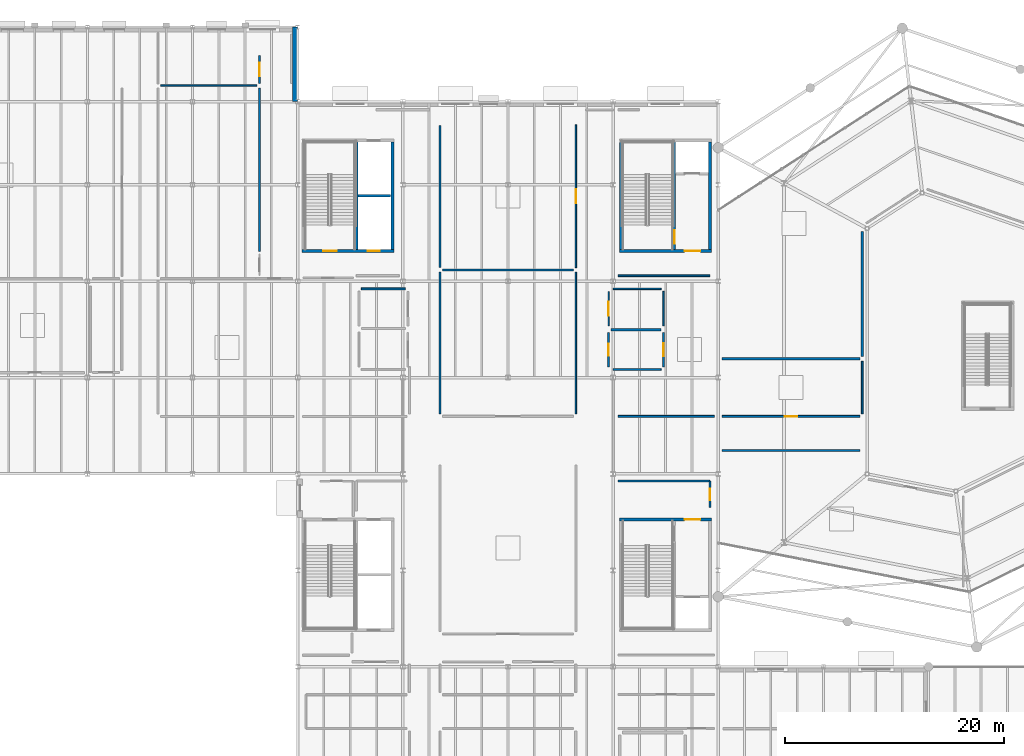
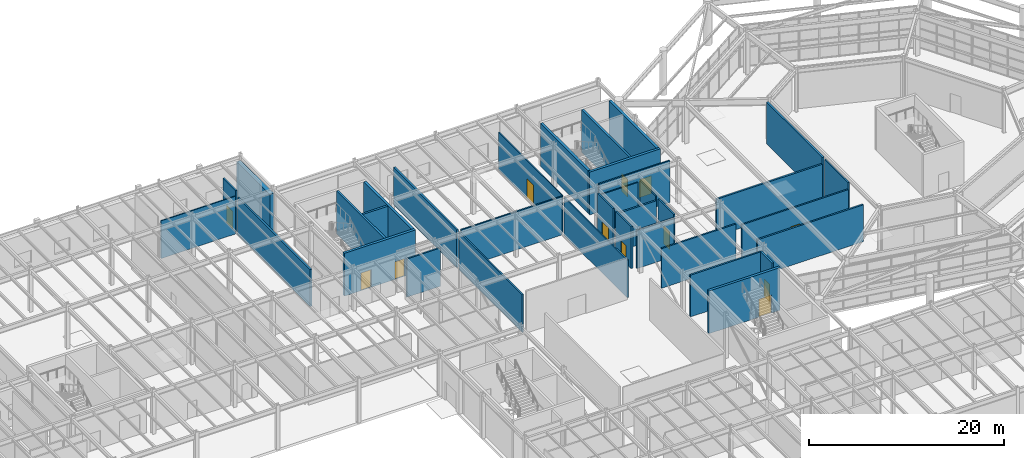
# One storey, part 51 of 70: 35 walls, 12 doors, 12 openings.
"""IFC4 building model written with IfcOpenShell, lengths in metres."""

from ifc_helpers import new_model, si_unit, direction, frame, frame_2d, origin, place, context, subcontext, project, spatial, rectangle, extrude, material, layer, layer_set, type_object, element, fill, save


model = new_model("IFC4")

# Units and contexts
model_context = context("Model", 3, precision=1e-05, world=origin(), true_north=direction((0.0, 1.0)))
body_context = subcontext(model_context, "Body", "Model", "MODEL_VIEW")
ifc_project = project(units=[si_unit("LENGTHUNIT", "METRE"), si_unit("AREAUNIT", "SQUARE_METRE"), si_unit("VOLUMEUNIT", "CUBIC_METRE"), si_unit("PLANEANGLEUNIT", "RADIAN"), si_unit("MASSUNIT", "GRAM", prefix="KILO")], contexts=[model_context])

# Site, building, storey
site_placement = place(None, origin())
site = spatial("IfcSite", under=ifc_project, at=site_placement, CompositionType="ELEMENT")
building_placement = place(site_placement, origin())
building = spatial("IfcBuilding", under=site, at=building_placement, Name="Sarnbrook Museum", CompositionType="ELEMENT")
storey_placement = place(building_placement, origin())
storey = spatial("IfcBuildingStorey", under=building, at=storey_placement, Name="L00", CompositionType="ELEMENT", Elevation=0.0)

# Wall, opening, door
ifc_material_1 = material(Name="Concrete N50 (AS 3600, f'c = 50 MPa)", Category="concrete")
ifc_layer_1 = layer(ifc_material_1, 0.300048828125)
ifc_layer_set_1 = layer_set([ifc_layer_1], Name="Concrete N50 (AS 3600, f'c = 50 MPa)")
wall_type_1 = type_object("IfcWallType", Name="CoreWall_CWRC", PredefinedType="SHEAR", material=ifc_layer_set_1)
wall_1_placement = place(storey_placement, frame((118.60009765625, 70.25, 0.0), z_axis=(0.0, 0.0, 1.0), x_axis=(-1.0, 0.0, 0.0)))
wall_1 = element("IfcWall", 1, at=wall_1_placement, inside=storey, type_object=wall_type_1, Name="Core C1 Shear Wall N L00", PredefinedType="SHEAR", context=body_context, shape_type="SweptSolid", body=[
    extrude(rectangle(XDim=8.400146484375, YDim=0.300048828125, at=frame_2d((4.2001953125, 0.0))), origin(), (0.0, 0.0, 1.0), 5.344970703125),
])
opening_1_placement = place(wall_1_placement, frame((1.02490234375, 0.0, 0.0)))
opening_1 = element("IfcOpeningElement", 2, at=opening_1_placement, cuts=wall_1, Name="Opening D-LOB-C1-L00", PredefinedType="OPENING", context=body_context, shape_type="SweptSolid", body=[
    extrude(rectangle(XDim=1.449951171875, YDim=2.25, at=frame_2d((0.72509765625, 1.125))), frame((0.0, 0.16015625, 0.0), z_axis=(0.0, -1.0, 0.0), x_axis=(1.0, 0.0, 0.0)), (0.0, 0.0, 1.0), 0.320068359375),
])
ifc_material_2 = material(Name="Tasmanian Oak Acoustic Timber", Category="wood")
door_type_1 = type_object("IfcDoorType", Name="FireDoor_FD120W", OperationType="NOTDEFINED", PredefinedType="DOOR", material=ifc_material_2)
door_1_placement = place(opening_1_placement, frame((1.449951171875, 0.0, 0.0), z_axis=(0.0, 0.0, 1.0), x_axis=(-1.0, 0.0, 0.0)))
door_1 = element("IfcDoor", 3, at=door_1_placement, inside=storey, type_object=door_type_1, Name="Core C1 Fire Lobby Entry Door L00", OperationType="SINGLE_SWING_RIGHT", OverallHeight=2.25, OverallWidth=1.449951171875, PredefinedType="DOOR", context=body_context, shape_type="SweptSolid", body=[
    extrude(rectangle(XDim=1.449951171875, YDim=2.25, at=frame_2d((0.72509765625, 1.125))), frame((0.0, 0.02490234375, 0.0), z_axis=(0.0, -1.0, 0.0), x_axis=(1.0, 0.0, 0.0)), (0.0, 0.0, 1.0), 0.050048828125),
])
fill(opening_1, door_1)

wall_2_placement = place(storey_placement, frame((110.199951171875, 94.75, 0.0), z_axis=(0.0, 0.0, 1.0), x_axis=(1.0, 0.0, 0.0)))
wall_2 = element("IfcWall", 4, at=wall_2_placement, inside=storey, type_object=wall_type_1, Name="Core C2 Shear Wall S L00", PredefinedType="SHEAR", context=body_context, shape_type="SweptSolid", body=[
    extrude(rectangle(XDim=8.400146484375, YDim=0.300048828125, at=frame_2d((4.2001953125, 0.0))), origin(), (0.0, 0.0, 1.0), 5.344970703125),
])
opening_2_placement = place(wall_2_placement, frame((5.925048828125, 0.0, 0.0)))
opening_2 = element("IfcOpeningElement", 5, at=opening_2_placement, cuts=wall_2, Name="Opening D-LOB-C2-L00", PredefinedType="OPENING", context=body_context, shape_type="SweptSolid", body=[
    extrude(rectangle(XDim=1.449951171875, YDim=2.25, at=frame_2d((0.72509765625, 1.125))), frame((0.0, 0.16015625, 0.0), z_axis=(0.0, -1.0, 0.0), x_axis=(1.0, 0.0, 0.0)), (0.0, 0.0, 1.0), 0.320068359375),
])
door_2_placement = place(opening_2_placement, frame((1.449951171875, 0.0, 0.0), z_axis=(0.0, 0.0, 1.0), x_axis=(-1.0, 0.0, 0.0)))
door_2 = element("IfcDoor", 6, at=door_2_placement, inside=storey, type_object=door_type_1, Name="Core C2 Fire Lobby Entry Door L00", OperationType="SINGLE_SWING_RIGHT", OverallHeight=2.25, OverallWidth=1.449951171875, PredefinedType="DOOR", context=body_context, shape_type="SweptSolid", body=[
    extrude(rectangle(XDim=1.449951171875, YDim=2.25, at=frame_2d((0.72509765625, 1.125))), frame((0.0, 0.02490234375, 0.0), z_axis=(0.0, -1.0, 0.0), x_axis=(1.0, 0.0, 0.0)), (0.0, 0.0, 1.0), 0.050048828125),
])
fill(opening_2, door_2)

# Walls
for number, where, z_axis, x_axis, name in (
    (7, (118.449951171875, 94.909912109375, 0.0), (0.0, 0.0, 1.0), (0.0, 1.0, 0.0), "Core C2 Shear Wall E L00"),
    (8, (110.35009765625, 104.68994140625, 0.0), (0.0, 0.0, 1.0), (0.0, -1.0, 0.0), "Core C2 Shear Wall W L00"),
):
    element("IfcWall", number, at=place(storey_placement, frame(where, z_axis=z_axis, x_axis=x_axis)), inside=storey, type_object=wall_type_1, Name=name, PredefinedType="SHEAR", context=body_context, shape_type="SweptSolid", body=[
        extrude(rectangle(XDim=9.780029296875, YDim=0.300048828125, at=frame_2d((4.89013671875, 0.0))), origin(), (0.0, 0.0, 1.0), 5.344970703125),
    ])

# Wall, openings, doors
wall_3_placement = place(storey_placement, frame((81.199951171875, 94.75, 0.0), z_axis=(0.0, 0.0, 1.0), x_axis=(1.0, 0.0, 0.0)))
wall_3 = element("IfcWall", 9, at=wall_3_placement, inside=storey, type_object=wall_type_1, Name="Core C4 Shear Wall S L00", PredefinedType="SHEAR", context=body_context, shape_type="SweptSolid", body=[
    extrude(rectangle(XDim=8.400146484375, YDim=0.300048828125, at=frame_2d((4.2001953125, 0.0))), origin(), (0.0, 0.0, 1.0), 5.344970703125),
])
opening_3_placement = place(wall_3_placement, frame((1.925048828125, 0.0, 0.0)))
opening_3 = element("IfcOpeningElement", 10, at=opening_3_placement, cuts=wall_3, Name="Opening D-ST-ST4-L00", PredefinedType="OPENING", context=body_context, shape_type="SweptSolid", body=[
    extrude(rectangle(XDim=1.25, YDim=2.199951171875, at=frame_2d((0.625, 1.10009765625))), frame((0.0, 0.16015625, 0.0), z_axis=(0.0, -1.0, 0.0), x_axis=(1.0, 0.0, 0.0)), (0.0, 0.0, 1.0), 0.320068359375),
])
opening_4_placement = place(wall_3_placement, frame((6.0, 0.0, 0.0)))
opening_4 = element("IfcOpeningElement", 11, at=opening_4_placement, cuts=wall_3, Name="Opening LD-PL3-L00", PredefinedType="OPENING", context=body_context, shape_type="SweptSolid", body=[
    extrude(rectangle(XDim=1.10009765625, YDim=2.199951171875, at=frame_2d((0.550048828125, 1.10009765625))), frame((0.0, 0.16015625, 0.0), z_axis=(0.0, -1.0, 0.0), x_axis=(1.0, 0.0, 0.0)), (0.0, 0.0, 1.0), 0.320068359375),
])
door_type_2 = type_object("IfcDoorType", Name="FireDoor_FD120", OperationType="NOTDEFINED", PredefinedType="DOOR", material=ifc_material_2)
door_3_placement = place(opening_3_placement, frame((1.25, 0.0, 0.0), z_axis=(0.0, 0.0, 1.0), x_axis=(-1.0, 0.0, 0.0)))
door_3 = element("IfcDoor", 12, at=door_3_placement, inside=storey, type_object=door_type_2, Name="Exit Stair ST4 Fire Door L00", OperationType="SINGLE_SWING_RIGHT", OverallHeight=2.199951171875, OverallWidth=1.25, PredefinedType="DOOR", context=body_context, shape_type="SweptSolid", body=[
    extrude(rectangle(XDim=1.25, YDim=2.199951171875, at=frame_2d((0.625, 1.10009765625))), frame((0.0, 0.02490234375, 0.0), z_axis=(0.0, -1.0, 0.0), x_axis=(1.0, 0.0, 0.0)), (0.0, 0.0, 1.0), 0.050048828125),
])
fill(opening_3, door_3)
ifc_material_3 = material(Name="Brushed Stainless Steel Grade 316", Category="steel")
door_type_3 = type_object("IfcDoorType", Name="LiftDoor_Pax110", OperationType="DOUBLE_DOOR_SLIDING", PredefinedType="DOOR", material=ifc_material_3)
door_4_placement = place(opening_4_placement, origin())
door_4 = element("IfcDoor", 13, at=door_4_placement, inside=storey, type_object=door_type_3, Name="Lift Landing Sliding Door LD-PL3-L00", OperationType="DOUBLE_DOOR_SLIDING", OverallHeight=2.199951171875, OverallWidth=1.10009765625, PredefinedType="DOOR", context=body_context, shape_type="SweptSolid", body=[
    extrude(rectangle(XDim=1.10009765625, YDim=2.199951171875, at=frame_2d((0.550048828125, 1.10009765625))), frame((0.0, 0.02490234375, 0.0), z_axis=(0.0, -1.0, 0.0), x_axis=(1.0, 0.0, 0.0)), (0.0, 0.0, 1.0), 0.050048828125),
])
fill(opening_4, door_4)

# Walls
wall_4_placement = place(storey_placement, frame((89.449951171875, 94.909912109375, 0.0), z_axis=(0.0, 0.0, 1.0), x_axis=(0.0, 1.0, 0.0)))
element("IfcWall", 14, at=wall_4_placement, inside=storey, type_object=wall_type_1, Name="Core C4 Shear Wall E L00", PredefinedType="SHEAR", context=body_context, shape_type="SweptSolid", body=[
    extrude(rectangle(XDim=9.780029296875, YDim=0.300048828125, at=frame_2d((4.89013671875, 0.0))), origin(), (0.0, 0.0, 1.0), 5.344970703125),
])
ifc_material_4 = material(Name="Fire-Rated Acoustic Gypsum Plasterboard")
ifc_layer_2 = layer(ifc_material_4, 0.1201171875)
ifc_layer_set_2 = layer_set([ifc_layer_2], Name="Fire-Rated Acoustic Gypsum Plasterboard")
wall_type_2 = type_object("IfcWallType", Name="PartWall_P120", PredefinedType="PARTITIONING", material=ifc_layer_set_2)
wall_5_placement = place(storey_placement, frame((114.2099609375, 91.080078125, 0.0), z_axis=(0.0, 0.0, 1.0), x_axis=(0.0, -1.0, 0.0)))
element("IfcWall", 15, at=wall_5_placement, inside=storey, type_object=wall_type_2, Name="Interior Partition Wall L00-0174", PredefinedType="PARTITIONING", context=body_context, shape_type="SweptSolid", body=[
    extrude(rectangle(XDim=3.16015625, YDim=0.1201171875, at=frame_2d((1.580078125, 0.0))), origin(), (0.0, 0.0, 1.0), 5.012939453125),
])

# Wall, opening, door
wall_6_placement = place(storey_placement, frame((106.199951171875, 106.2744140625, 0.0), z_axis=(0.0, 0.0, 1.0), x_axis=(0.0, -1.0, 0.0)))
wall_6 = element("IfcWall", 16, at=wall_6_placement, inside=storey, type_object=wall_type_2, Name="Interior Partition Wall L00-0209", PredefinedType="PARTITIONING", context=body_context, shape_type="SweptSolid", body=[
    extrude(rectangle(XDim=13.0244140625, YDim=0.1201171875, at=frame_2d((6.51220703125, 0.0))), origin(), (0.0, 0.0, 1.0), 4.7080078125),
])
opening_5_placement = place(wall_6_placement, frame((5.8623046875, 0.0, 0.0)))
opening_5 = element("IfcOpeningElement", 17, at=opening_5_placement, cuts=wall_6, Name="Opening D-L00-066", PredefinedType="OPENING", context=body_context, shape_type="SweptSolid", body=[
    extrude(rectangle(XDim=1.300048828125, YDim=2.4599609375, at=frame_2d((0.64990234375, 1.22998046875))), frame((0.0, 0.070068359375, 0.0), z_axis=(0.0, -1.0, 0.0), x_axis=(1.0, 0.0, 0.0)), (0.0, 0.0, 1.0), 0.14013671875),
])
door_type_4 = type_object("IfcDoorType", Name="IntDoor_DT28", OperationType="NOTDEFINED", PredefinedType="DOOR", material=ifc_material_2)
door_5_placement = place(opening_5_placement, frame((1.300048828125, 0.0, 0.0), z_axis=(0.0, 0.0, 1.0), x_axis=(-1.0, 0.0, 0.0)))
door_5 = element("IfcDoor", 18, at=door_5_placement, inside=storey, type_object=door_type_4, Name="Fossil Megafauna Exhibition Hall L00-10 Door D-L00-066", OperationType="SINGLE_SWING_RIGHT", OverallHeight=2.4599609375, OverallWidth=1.300048828125, PredefinedType="DOOR", context=body_context, shape_type="SweptSolid", body=[
    extrude(rectangle(XDim=1.300048828125, YDim=2.4599609375, at=frame_2d((0.64990234375, 1.22998046875))), frame((0.0, 0.02490234375, 0.0), z_axis=(0.0, -1.0, 0.0), x_axis=(1.0, 0.0, 0.0)), (0.0, 0.0, 1.0), 0.050048828125),
])
fill(opening_5, door_5)

# Walls
wall_7_placement = place(storey_placement, frame((68.280029296875, 109.860107421875, 0.0), z_axis=(0.0, 0.0, 1.0), x_axis=(1.0, 0.0, 0.0)))
element("IfcWall", 19, at=wall_7_placement, inside=storey, type_object=wall_type_2, Name="Interior Partition Wall L00-0293", PredefinedType="PARTITIONING", context=body_context, shape_type="SweptSolid", body=[
    extrude(rectangle(XDim=8.800048828125, YDim=0.1201171875, at=frame_2d((4.39990234375, 0.0))), origin(), (0.0, 0.0, 1.0), 4.717041015625),
])
ifc_layer_3 = layer(ifc_material_4, 0.135009765625)
ifc_layer_set_3 = layer_set([ifc_layer_3], Name="Fire-Rated Acoustic Gypsum Plasterboard")
wall_type_3 = type_object("IfcWallType", Name="PartWall_P135", PredefinedType="PARTITIONING", material=ifc_layer_set_3)
wall_8_placement = place(storey_placement, frame((109.590087890625, 91.31005859375, 0.0), z_axis=(0.0, 0.0, 1.0), x_axis=(1.0, 0.0, 0.0)))
element("IfcWall", 20, at=wall_8_placement, inside=storey, type_object=wall_type_3, Name="Interior Partition Wall L00-0173", PredefinedType="PARTITIONING", context=body_context, shape_type="SweptSolid", body=[
    extrude(rectangle(XDim=4.389892578125, YDim=0.135009765625, at=frame_2d((2.19482421875, 0.0))), origin(), (0.0, 0.0, 1.0), 4.787109375),
])

# Wall, opening, door
ifc_layer_4 = layer(ifc_material_4, 0.14990234375)
ifc_layer_set_4 = layer_set([ifc_layer_4], Name="Fire-Rated Acoustic Gypsum Plasterboard")
wall_type_4 = type_object("IfcWallType", Name="PartWall_P150", PredefinedType="PARTITIONING", material=ifc_layer_set_4)
wall_9_placement = place(storey_placement, frame((109.18994140625, 87.919921875, 0.0), z_axis=(0.0, 0.0, 1.0), x_axis=(0.0, 1.0, 0.0)))
wall_9 = element("IfcWall", 21, at=wall_9_placement, inside=storey, type_object=wall_type_4, Name="Interior Partition Wall L00-0172", PredefinedType="PARTITIONING", context=body_context, shape_type="SweptSolid", body=[
    extrude(rectangle(XDim=3.16015625, YDim=0.14990234375, at=frame_2d((1.580078125, 0.0))), origin(), (0.0, 0.0, 1.0), 5.22998046875),
])
opening_6_placement = place(wall_9_placement, frame((0.93994140625, 0.0, 0.0)))
opening_6 = element("IfcOpeningElement", 22, at=opening_6_placement, cuts=wall_9, Name="Opening D-L00-056", PredefinedType="OPENING", context=body_context, shape_type="SweptSolid", body=[
    extrude(rectangle(XDim=1.280029296875, YDim=2.239990234375, at=frame_2d((0.64013671875, 1.1201171875))), frame((0.0, 0.0849609375, 0.0), z_axis=(0.0, -1.0, 0.0), x_axis=(1.0, 0.0, 0.0)), (0.0, 0.0, 1.0), 0.169921875),
])
door_type_5 = type_object("IfcDoorType", Name="IntDoor_DT18", OperationType="NOTDEFINED", PredefinedType="DOOR", material=ifc_material_2)
door_6_placement = place(opening_6_placement, origin())
door_6 = element("IfcDoor", 23, at=door_6_placement, inside=storey, type_object=door_type_5, Name="Public Female Toilets L00 Door D-L00-056", OperationType="SINGLE_SWING_RIGHT", OverallHeight=2.239990234375, OverallWidth=1.280029296875, PredefinedType="DOOR", context=body_context, shape_type="SweptSolid", body=[
    extrude(rectangle(XDim=1.280029296875, YDim=2.239990234375, at=frame_2d((0.64013671875, 1.1201171875))), frame((0.0, 0.02490234375, 0.0), z_axis=(0.0, -1.0, 0.0), x_axis=(1.0, 0.0, 0.0)), (0.0, 0.0, 1.0), 0.050048828125),
])
fill(opening_6, door_6)

# Walls
wall_10_placement = place(storey_placement, frame((106.199951171875, 92.830078125, 0.0), z_axis=(0.0, 0.0, 1.0), x_axis=(0.0, -1.0, 0.0)))
element("IfcWall", 24, at=wall_10_placement, inside=storey, type_object=wall_type_4, Name="Interior Partition Wall L00-0228", PredefinedType="PARTITIONING", context=body_context, shape_type="SweptSolid", body=[
    extrude(rectangle(XDim=12.9501953125, YDim=0.14990234375, at=frame_2d((6.47509765625, 0.0))), origin(), (0.0, 0.0, 1.0), 4.7080078125),
])
ifc_layer_5 = layer(ifc_material_4, 0.1650390625)
ifc_layer_set_5 = layer_set([ifc_layer_5], Name="Fire-Rated Acoustic Gypsum Plasterboard")
wall_type_5 = type_object("IfcWallType", Name="PartWall_P165", PredefinedType="PARTITIONING", material=ifc_layer_set_5)
wall_11_placement = place(storey_placement, frame((113.97998046875, 83.93994140625, 0.0), z_axis=(0.0, 0.0, 1.0), x_axis=(-1.0, 0.0, 0.0)))
element("IfcWall", 25, at=wall_11_placement, inside=storey, type_object=wall_type_5, Name="Interior Partition Wall L00-0171", PredefinedType="PARTITIONING", context=body_context, shape_type="SweptSolid", body=[
    extrude(rectangle(XDim=4.389892578125, YDim=0.1650390625, at=frame_2d((2.19482421875, 0.0))), origin(), (0.0, 0.0, 1.0), 4.787109375),
])
wall_12_placement = place(storey_placement, frame((132.35009765625, 84.691650390625, 0.0), z_axis=(0.0, 0.0, 1.0), x_axis=(0.0, -1.0, 0.0)))
element("IfcWall", 26, at=wall_12_placement, inside=storey, type_object=wall_type_5, Name="Interior Partition Wall L00-0185", PredefinedType="PARTITIONING", context=body_context, shape_type="SweptSolid", body=[
    extrude(rectangle(XDim=4.811767578125, YDim=0.1650390625, at=frame_2d((2.40576171875, 0.0))), origin(), (0.0, 0.0, 1.0), 5.22998046875),
])
wall_13_placement = place(storey_placement, frame((93.800048828125, 79.8798828125, 0.0), z_axis=(0.0, 0.0, 1.0), x_axis=(0.0, 1.0, 0.0)))
element("IfcWall", 27, at=wall_13_placement, inside=storey, type_object=wall_type_5, Name="Interior Partition Wall L00-0227", PredefinedType="PARTITIONING", context=body_context, shape_type="SweptSolid", body=[
    extrude(rectangle(XDim=12.9501953125, YDim=0.1650390625, at=frame_2d((6.47509765625, 0.0))), origin(), (0.0, 0.0, 1.0), 4.7080078125),
])
wall_14_placement = place(storey_placement, frame((110.050048828125, 92.5, 0.0), z_axis=(0.0, 0.0, 1.0), x_axis=(1.0, 0.0, 0.0)))
element("IfcWall", 28, at=wall_14_placement, inside=storey, type_object=wall_type_5, Name="Interior Partition Wall L00-0234", PredefinedType="PARTITIONING", context=body_context, shape_type="SweptSolid", body=[
    extrude(rectangle(XDim=8.389892578125, YDim=0.1650390625, at=frame_2d((4.19482421875, 0.0))), origin(), (0.0, 0.0, 1.0), 5.22998046875),
])
wall_15_placement = place(storey_placement, frame((105.969970703125, 93.02001953125, 0.0), z_axis=(0.0, 0.0, 1.0), x_axis=(-1.0, 0.0, 0.0)))
element("IfcWall", 29, at=wall_15_placement, inside=storey, type_object=wall_type_5, Name="Interior Partition Wall L00-0283", PredefinedType="PARTITIONING", context=body_context, shape_type="SweptSolid", body=[
    extrude(rectangle(XDim=11.93994140625, YDim=0.1650390625, at=frame_2d((5.969970703125, 0.0))), origin(), (0.0, 0.0, 1.0), 4.787109375),
])

# Wall, opening, door
ifc_layer_6 = layer(ifc_material_4, 0.179931640625)
ifc_layer_set_6 = layer_set([ifc_layer_6], Name="Fire-Rated Acoustic Gypsum Plasterboard")
wall_type_6 = type_object("IfcWallType", Name="PartWall_P180", PredefinedType="PARTITIONING", material=ifc_layer_set_6)
wall_16_placement = place(storey_placement, frame((77.31005859375, 112.627685546875, 0.0), z_axis=(0.0, 0.0, 1.0), x_axis=(0.0, -1.0, 0.0)))
wall_16 = element("IfcWall", 30, at=wall_16_placement, inside=storey, type_object=wall_type_6, Name="Interior Partition Wall L00-0156", PredefinedType="PARTITIONING", context=body_context, shape_type="SweptSolid", body=[
    extrude(rectangle(XDim=2.57763671875, YDim=0.179931640625, at=frame_2d((1.288818359375, 0.0))), origin(), (0.0, 0.0, 1.0), 5.22998046875),
])
opening_7_placement = place(wall_16_placement, frame((0.6689453125, 0.0, 0.0)))
opening_7 = element("IfcOpeningElement", 31, at=opening_7_placement, cuts=wall_16, Name="Opening D-L00-050", PredefinedType="OPENING", context=body_context, shape_type="SweptSolid", body=[
    extrude(rectangle(XDim=1.239990234375, YDim=2.159912109375, at=frame_2d((0.6201171875, 1.080078125))), frame((0.0, 0.10009765625, 0.0), z_axis=(0.0, -1.0, 0.0), x_axis=(1.0, 0.0, 0.0)), (0.0, 0.0, 1.0), 0.199951171875),
])
door_type_6 = type_object("IfcDoorType", Name="IntDoor_DT12", OperationType="NOTDEFINED", PredefinedType="DOOR", material=ifc_material_2)
door_7_placement = place(opening_7_placement, frame((1.239990234375, 0.0, 0.0), z_axis=(0.0, 0.0, 1.0), x_axis=(-1.0, 0.0, 0.0)))
door_7 = element("IfcDoor", 32, at=door_7_placement, inside=storey, type_object=door_type_6, Name="Garden Court Museum Cafe L00-34 Door D-L00-050", OperationType="SINGLE_SWING_RIGHT", OverallHeight=2.159912109375, OverallWidth=1.239990234375, PredefinedType="DOOR", context=body_context, shape_type="SweptSolid", body=[
    extrude(rectangle(XDim=1.239990234375, YDim=2.159912109375, at=frame_2d((0.6201171875, 1.080078125))), frame((0.0, 0.02490234375, 0.0), z_axis=(0.0, -1.0, 0.0), x_axis=(1.0, 0.0, 0.0)), (0.0, 0.0, 1.0), 0.050048828125),
])
fill(opening_7, door_7)

wall_17_placement = place(storey_placement, frame((114.2099609375, 87.330078125, 0.0), z_axis=(0.0, 0.0, 1.0), x_axis=(0.0, -1.0, 0.0)))
wall_17 = element("IfcWall", 33, at=wall_17_placement, inside=storey, type_object=wall_type_6, Name="Interior Partition Wall L00-0170", PredefinedType="PARTITIONING", context=body_context, shape_type="SweptSolid", body=[
    extrude(rectangle(XDim=3.16015625, YDim=0.179931640625, at=frame_2d((1.580078125, 0.0))), origin(), (0.0, 0.0, 1.0), 5.012939453125),
])
opening_8_placement = place(wall_17_placement, frame((0.989990234375, 0.0, 0.0)))
opening_8 = element("IfcOpeningElement", 34, at=opening_8_placement, cuts=wall_17, Name="Opening D-L00-055", PredefinedType="OPENING", context=body_context, shape_type="SweptSolid", body=[
    extrude(rectangle(XDim=1.179931640625, YDim=2.239990234375, at=frame_2d((0.58984375, 1.1201171875))), frame((0.0, 0.10009765625, 0.0), z_axis=(0.0, -1.0, 0.0), x_axis=(1.0, 0.0, 0.0)), (0.0, 0.0, 1.0), 0.199951171875),
])
door_type_7 = type_object("IfcDoorType", Name="IntDoor_DT17", OperationType="NOTDEFINED", PredefinedType="DOOR", material=ifc_material_2)
door_8_placement = place(opening_8_placement, frame((1.179931640625, 0.0, 0.0), z_axis=(0.0, 0.0, 1.0), x_axis=(-1.0, 0.0, 0.0)))
door_8 = element("IfcDoor", 35, at=door_8_placement, inside=storey, type_object=door_type_7, Name="Fossil Megafauna Exhibition Hall L00-19 Door D-L00-055", OperationType="SINGLE_SWING_LEFT", OverallHeight=2.239990234375, OverallWidth=1.179931640625, PredefinedType="DOOR", context=body_context, shape_type="SweptSolid", body=[
    extrude(rectangle(XDim=1.179931640625, YDim=2.239990234375, at=frame_2d((0.58984375, 1.1201171875))), frame((0.0, 0.02490234375, 0.0), z_axis=(0.0, -1.0, 0.0), x_axis=(1.0, 0.0, 0.0)), (0.0, 0.0, 1.0), 0.050048828125),
])
fill(opening_8, door_8)

# Wall
wall_18_placement = place(storey_placement, frame((86.6201171875, 91.31005859375, 0.0), z_axis=(0.0, 0.0, 1.0), x_axis=(1.0, 0.0, 0.0)))
element("IfcWall", 36, at=wall_18_placement, inside=storey, type_object=wall_type_6, Name="Interior Partition Wall L00-0177", PredefinedType="PARTITIONING", context=body_context, shape_type="SweptSolid", body=[
    extrude(rectangle(XDim=4.009765625, YDim=0.179931640625, at=frame_2d((2.0048828125, 0.0))), origin(), (0.0, 0.0, 1.0), 4.787109375),
])

# Wall, opening, door
wall_19_placement = place(storey_placement, frame((132.1201171875, 79.64990234375, 0.0), z_axis=(0.0, 0.0, 1.0), x_axis=(-1.0, 0.0, 0.0)))
wall_19 = element("IfcWall", 37, at=wall_19_placement, inside=storey, type_object=wall_type_6, Name="Interior Partition Wall L00-0184", PredefinedType="PARTITIONING", context=body_context, shape_type="SweptSolid", body=[
    extrude(rectangle(XDim=12.56005859375, YDim=0.179931640625, at=frame_2d((6.280029296875, 0.0))), origin(), (0.0, 0.0, 1.0), 4.610107421875),
])
opening_9_placement = place(wall_19_placement, frame((5.705078125, 0.0, 0.0)))
opening_9 = element("IfcOpeningElement", 38, at=opening_9_placement, cuts=wall_19, Name="Opening D-L00-060", PredefinedType="OPENING", context=body_context, shape_type="SweptSolid", body=[
    extrude(rectangle(XDim=1.14990234375, YDim=2.340087890625, at=frame_2d((0.574951171875, 1.169921875))), frame((0.0, 0.10009765625, 0.0), z_axis=(0.0, -1.0, 0.0), x_axis=(1.0, 0.0, 0.0)), (0.0, 0.0, 1.0), 0.199951171875),
])
door_type_8 = type_object("IfcDoorType", Name="IntDoor_DT22", OperationType="NOTDEFINED", PredefinedType="DOOR", material=ifc_material_2)
door_9_placement = place(opening_9_placement, origin())
door_9 = element("IfcDoor", 39, at=door_9_placement, inside=storey, type_object=door_type_8, Name="Earth & Tectonics Gallery L00-2 Door D-L00-060", OperationType="SINGLE_SWING_RIGHT", OverallHeight=2.340087890625, OverallWidth=1.14990234375, PredefinedType="DOOR", context=body_context, shape_type="SweptSolid", body=[
    extrude(rectangle(XDim=1.14990234375, YDim=2.340087890625, at=frame_2d((0.574951171875, 1.169921875))), frame((0.0, 0.02490234375, 0.0), z_axis=(0.0, -1.0, 0.0), x_axis=(1.0, 0.0, 0.0)), (0.0, 0.0, 1.0), 0.050048828125),
])
fill(opening_9, door_9)

# Wall
wall_20_placement = place(storey_placement, frame((118.840087890625, 79.64990234375, 0.0), z_axis=(0.0, 0.0, 1.0), x_axis=(-1.0, 0.0, 0.0)))
element("IfcWall", 40, at=wall_20_placement, inside=storey, type_object=wall_type_6, Name="Interior Partition Wall L00-0233", PredefinedType="PARTITIONING", context=body_context, shape_type="SweptSolid", body=[
    extrude(rectangle(XDim=8.7900390625, YDim=0.179931640625, at=frame_2d((4.39501953125, 0.0))), origin(), (0.0, 0.0, 1.0), 4.964111328125),
])

# Wall, opening, door
ifc_layer_7 = layer(ifc_material_4, 0.195068359375)
ifc_layer_set_7 = layer_set([ifc_layer_7], Name="Fire-Rated Acoustic Gypsum Plasterboard")
wall_type_7 = type_object("IfcWallType", Name="PartWall_P195", PredefinedType="PARTITIONING", material=ifc_layer_set_7)
wall_21_placement = place(storey_placement, frame((109.18994140625, 84.169921875, 0.0), z_axis=(0.0, 0.0, 1.0), x_axis=(0.0, 1.0, 0.0)))
wall_21 = element("IfcWall", 41, at=wall_21_placement, inside=storey, type_object=wall_type_7, Name="Interior Partition Wall L00-0169", PredefinedType="PARTITIONING", context=body_context, shape_type="SweptSolid", body=[
    extrude(rectangle(XDim=3.16015625, YDim=0.195068359375, at=frame_2d((1.580078125, 0.0))), origin(), (0.0, 0.0, 1.0), 5.22998046875),
])
opening_10_placement = place(wall_21_placement, frame((1.030029296875, 0.0, 0.0)))
opening_10 = element("IfcOpeningElement", 42, at=opening_10_placement, cuts=wall_21, Name="Opening D-L00-054", PredefinedType="OPENING", context=body_context, shape_type="SweptSolid", body=[
    extrude(rectangle(XDim=1.10009765625, YDim=2.239990234375, at=frame_2d((0.550048828125, 1.1201171875))), frame((0.0, 0.107421875, 0.0), z_axis=(0.0, -1.0, 0.0), x_axis=(1.0, 0.0, 0.0)), (0.0, 0.0, 1.0), 0.215087890625),
])
door_type_9 = type_object("IfcDoorType", Name="IntDoor_DT16", OperationType="NOTDEFINED", PredefinedType="DOOR", material=ifc_material_2)
door_10_placement = place(opening_10_placement, origin())
door_10 = element("IfcDoor", 43, at=door_10_placement, inside=storey, type_object=door_type_9, Name="Public Male Toilets L00 Door D-L00-054", OperationType="SINGLE_SWING_RIGHT", OverallHeight=2.239990234375, OverallWidth=1.10009765625, PredefinedType="DOOR", context=body_context, shape_type="SweptSolid", body=[
    extrude(rectangle(XDim=1.10009765625, YDim=2.239990234375, at=frame_2d((0.550048828125, 1.1201171875))), frame((0.0, 0.02490234375, 0.0), z_axis=(0.0, -1.0, 0.0), x_axis=(1.0, 0.0, 0.0)), (0.0, 0.0, 1.0), 0.050048828125),
])
fill(opening_10, door_10)

# Walls
wall_22_placement = place(storey_placement, frame((119.56005859375, 76.550048828125, 0.0), z_axis=(0.0, 0.0, 1.0), x_axis=(1.0, 0.0, 0.0)))
element("IfcWall", 44, at=wall_22_placement, inside=storey, type_object=wall_type_7, Name="Interior Partition Wall L00-0183", PredefinedType="PARTITIONING", context=body_context, shape_type="SweptSolid", body=[
    extrude(rectangle(XDim=12.56005859375, YDim=0.195068359375, at=frame_2d((6.280029296875, 0.0))), origin(), (0.0, 0.0, 1.0), 4.610107421875),
])
wall_23_placement = place(storey_placement, frame((118.43994140625, 73.75, 0.0), z_axis=(0.0, 0.0, 1.0), x_axis=(-1.0, 0.0, 0.0)))
element("IfcWall", 45, at=wall_23_placement, inside=storey, type_object=wall_type_7, Name="Interior Partition Wall L00-0232", PredefinedType="PARTITIONING", context=body_context, shape_type="SweptSolid", body=[
    extrude(rectangle(XDim=8.389892578125, YDim=0.195068359375, at=frame_2d((4.19482421875, 0.0))), origin(), (0.0, 0.0, 1.0), 5.22998046875),
])
ifc_layer_8 = layer(ifc_material_4, 0.2099609375)
ifc_layer_set_8 = layer_set([ifc_layer_8], Name="Fire-Rated Acoustic Gypsum Plasterboard")
wall_type_8 = type_object("IfcWallType", Name="PartWall_P210", PredefinedType="PARTITIONING", material=ifc_layer_set_8)
wall_24_placement = place(storey_placement, frame((77.31005859375, 109.6298828125, 0.0), z_axis=(0.0, 0.0, 1.0), x_axis=(0.0, -1.0, 0.0)))
element("IfcWall", 46, at=wall_24_placement, inside=storey, type_object=wall_type_8, Name="Interior Partition Wall L00-0154", PredefinedType="PARTITIONING", context=body_context, shape_type="SweptSolid", body=[
    extrude(rectangle(XDim=14.909912109375, YDim=0.2099609375, at=frame_2d((7.455078125, 0.0))), origin(), (0.0, 0.0, 1.0), 4.637939453125),
])
wall_25_placement = place(storey_placement, frame((109.419921875, 87.56005859375, 0.0), z_axis=(0.0, 0.0, 1.0), x_axis=(1.0, 0.0, 0.0)))
element("IfcWall", 47, at=wall_25_placement, inside=storey, type_object=wall_type_8, Name="Interior Partition Wall L00-0168", PredefinedType="PARTITIONING", context=body_context, shape_type="SweptSolid", body=[
    extrude(rectangle(XDim=4.56005859375, YDim=0.2099609375, at=frame_2d((2.280029296875, 0.0))), origin(), (0.0, 0.0, 1.0), 4.787109375),
])
wall_26_placement = place(storey_placement, frame((132.35009765625, 96.52734375, 0.0), z_axis=(0.0, 0.0, 1.0), x_axis=(0.0, -1.0, 0.0)))
element("IfcWall", 48, at=wall_26_placement, inside=storey, type_object=wall_type_8, Name="Interior Partition Wall L00-0189", PredefinedType="PARTITIONING", context=body_context, shape_type="SweptSolid", body=[
    extrude(rectangle(XDim=11.415771484375, YDim=0.2099609375, at=frame_2d((5.7080078125, 0.0))), origin(), (0.0, 0.0, 1.0), 5.22998046875),
])
wall_27_placement = place(storey_placement, frame((93.800048828125, 93.25, 0.0), z_axis=(0.0, 0.0, 1.0), x_axis=(0.0, 1.0, 0.0)))
element("IfcWall", 49, at=wall_27_placement, inside=storey, type_object=wall_type_8, Name="Interior Partition Wall L00-0210", PredefinedType="PARTITIONING", context=body_context, shape_type="SweptSolid", body=[
    extrude(rectangle(XDim=12.965576171875, YDim=0.2099609375, at=frame_2d((6.48291015625, 0.0))), origin(), (0.0, 0.0, 1.0), 4.7080078125),
])

# Wall, opening, door
wall_28_placement = place(storey_placement, frame((118.449951171875, 71.342041015625, 0.0), z_axis=(0.0, 0.0, 1.0), x_axis=(0.0, 1.0, 0.0)))
wall_28 = element("IfcWall", 50, at=wall_28_placement, inside=storey, type_object=wall_type_8, Name="Interior Partition Wall L00-0231", PredefinedType="PARTITIONING", context=body_context, shape_type="SweptSolid", body=[
    extrude(rectangle(XDim=2.39794921875, YDim=0.2099609375, at=frame_2d((1.198974609375, 0.0))), origin(), (0.0, 0.0, 1.0), 5.22998046875),
])
opening_11_placement = place(wall_28_placement, frame((0.674072265625, 0.0, 0.0)))
opening_11 = element("IfcOpeningElement", 51, at=opening_11_placement, cuts=wall_28, Name="Opening D-L00-074", PredefinedType="OPENING", context=body_context, shape_type="SweptSolid", body=[
    extrude(rectangle(XDim=1.050048828125, YDim=2.14990234375, at=frame_2d((0.52490234375, 1.074951171875))), frame((0.0, 0.114990234375, 0.0), z_axis=(0.0, -1.0, 0.0), x_axis=(1.0, 0.0, 0.0)), (0.0, 0.0, 1.0), 0.22998046875),
])
door_type_10 = type_object("IfcDoorType", Name="FireDoor_FD60", OperationType="NOTDEFINED", PredefinedType="DOOR", material=ifc_material_2)
door_11_placement = place(opening_11_placement, origin())
door_11 = element("IfcDoor", 52, at=door_11_placement, inside=storey, type_object=door_type_10, Name="Seminar & Education Studio L00-18 Door D-L00-074", OperationType="SINGLE_SWING_LEFT", OverallHeight=2.14990234375, OverallWidth=1.050048828125, PredefinedType="DOOR", context=body_context, shape_type="SweptSolid", body=[
    extrude(rectangle(XDim=1.050048828125, YDim=2.14990234375, at=frame_2d((0.52490234375, 1.074951171875))), frame((0.0, 0.02490234375, 0.0), z_axis=(0.0, -1.0, 0.0), x_axis=(1.0, 0.0, 0.0)), (0.0, 0.0, 1.0), 0.050048828125),
])
fill(opening_11, door_11)

# Wall
wall_29_placement = place(storey_placement, frame((119.56005859375, 84.921630859375, 0.0), z_axis=(0.0, 0.0, 1.0), x_axis=(1.0, 0.0, 0.0)))
element("IfcWall", 53, at=wall_29_placement, inside=storey, type_object=wall_type_8, Name="Interior Partition Wall L00-0280", PredefinedType="PARTITIONING", context=body_context, shape_type="SweptSolid", body=[
    extrude(rectangle(XDim=12.56005859375, YDim=0.2099609375, at=frame_2d((6.280029296875, 0.0))), origin(), (0.0, 0.0, 1.0), 4.610107421875),
])

# Wall, opening, door
ifc_material_5 = material(Name="Concrete N40 (AS 3600, f'c = 40 MPa)", Category="concrete")
ifc_layer_9 = layer(ifc_material_5, 0.239990234375)
ifc_layer_set_9 = layer_set([ifc_layer_9], Name="Concrete N40 (AS 3600, f'c = 40 MPa)")
wall_type_9 = type_object("IfcWallType", Name="ShaftWall_SWRC", PredefinedType="SOLIDWALL", material=ifc_layer_set_9)
wall_30_placement = place(storey_placement, frame((115.18994140625, 94.909912109375, 0.0), z_axis=(0.0, 0.0, 1.0), x_axis=(0.0, 1.0, 0.0)))
wall_30 = element("IfcWall", 54, at=wall_30_placement, inside=storey, type_object=wall_type_9, Name="Stairwell ST2 Fire Shaft Wall L00", PredefinedType="SOLIDWALL", context=body_context, shape_type="SweptSolid", body=[
    extrude(rectangle(XDim=9.780029296875, YDim=0.239990234375, at=frame_2d((4.89013671875, 0.0))), origin(), (0.0, 0.0, 1.0), 5.344970703125),
])
opening_12_placement = place(wall_30_placement, frame((0.514892578125, 0.0, 0.0)))
opening_12 = element("IfcOpeningElement", 55, at=opening_12_placement, cuts=wall_30, Name="Opening D-ST-ST2-L00", PredefinedType="OPENING", context=body_context, shape_type="SweptSolid", body=[
    extrude(rectangle(XDim=1.25, YDim=2.199951171875, at=frame_2d((0.625, 1.10009765625))), frame((0.0, 0.1298828125, 0.0), z_axis=(0.0, -1.0, 0.0), x_axis=(1.0, 0.0, 0.0)), (0.0, 0.0, 1.0), 0.260009765625),
])
door_12_placement = place(opening_12_placement, frame((1.25, 0.0, 0.0), z_axis=(0.0, 0.0, 1.0), x_axis=(-1.0, 0.0, 0.0)))
door_12 = element("IfcDoor", 56, at=door_12_placement, inside=storey, type_object=door_type_2, Name="Exit Stair ST2 Fire Door L00", OperationType="SINGLE_SWING_LEFT", OverallHeight=2.199951171875, OverallWidth=1.25, PredefinedType="DOOR", context=body_context, shape_type="SweptSolid", body=[
    extrude(rectangle(XDim=1.25, YDim=2.199951171875, at=frame_2d((0.625, 1.10009765625))), frame((0.0, 0.02490234375, 0.0), z_axis=(0.0, -1.0, 0.0), x_axis=(1.0, 0.0, 0.0)), (0.0, 0.0, 1.0), 0.050048828125),
])
fill(opening_12, door_12)

# Walls
wall_31_placement = place(storey_placement, frame((86.18994140625, 94.909912109375, 0.0), z_axis=(0.0, 0.0, 1.0), x_axis=(0.0, 1.0, 0.0)))
element("IfcWall", 57, at=wall_31_placement, inside=storey, type_object=wall_type_9, Name="Stairwell ST4 Fire Shaft Wall L00", PredefinedType="SOLIDWALL", context=body_context, shape_type="SweptSolid", body=[
    extrude(rectangle(XDim=9.780029296875, YDim=0.239990234375, at=frame_2d((4.89013671875, 0.0))), origin(), (0.0, 0.0, 1.0), 5.344970703125),
])
wall_32_placement = place(storey_placement, frame((86.320068359375, 99.800048828125, 0.0), z_axis=(0.0, 0.0, 1.0), x_axis=(1.0, 0.0, 0.0)))
element("IfcWall", 58, at=wall_32_placement, inside=storey, type_object=wall_type_9, Name="Core C4 Twin Lift Divider Wall L00", PredefinedType="SOLIDWALL", context=body_context, shape_type="SweptSolid", body=[
    extrude(rectangle(XDim=2.969970703125, YDim=0.239990234375, at=frame_2d((1.48486328125, 0.0))), origin(), (0.0, 0.0, 1.0), 5.344970703125),
])
ifc_material_6 = material(Name="Barrabool Sandstone Ashlar Cladding", Category="masonry")
ifc_layer_10 = layer(ifc_material_6, 0.4599609375)
ifc_layer_set_10 = layer_set([ifc_layer_10], Name="Barrabool Sandstone Ashlar Cladding")
wall_type_10 = type_object("IfcWallType", Name="Wall_SandstoneExt460", PredefinedType="SOLIDWALL", material=ifc_layer_set_10)
wall_33_placement = place(storey_placement, frame((80.570068359375, 108.39990234375, 0.0), z_axis=(0.0, 0.0, 1.0), x_axis=(0.0, 1.0, 0.0)))
element("IfcWall", 59, at=wall_33_placement, inside=storey, type_object=wall_type_10, Name="Classical Sandstone Facade Wall L00-07", PredefinedType="SOLIDWALL", context=body_context, shape_type="SweptSolid", body=[
    extrude(rectangle(XDim=6.800048828125, YDim=0.4599609375, at=frame_2d((3.39990234375, 0.0))), origin(), (0.0, 0.0, 1.0), 4.653076171875),
])

save(model, "model.ifc")
